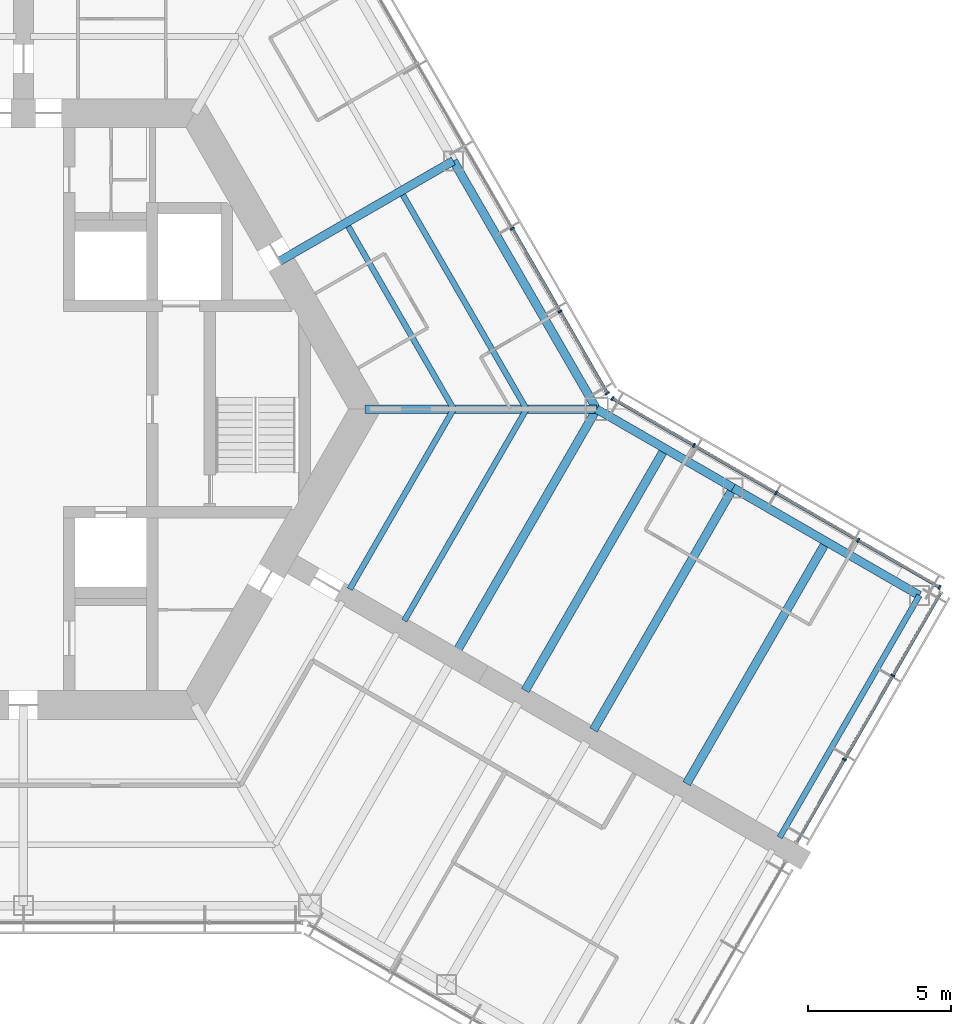
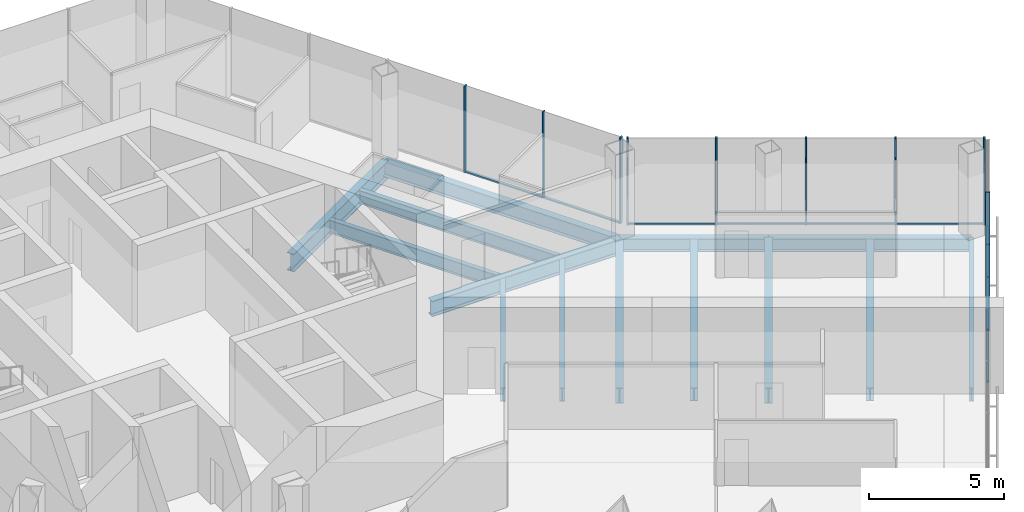
# One storey, part 6 of 18: 19 members, 14 beams, 3 elements without a shape of their own.
"""IFC4 building model written with IfcOpenShell, lengths in metres."""

from ifc_helpers import new_model, si_unit, direction, frame, origin, origin_2d, place, context, subcontext, project, spatial, rectangle, i_section, extrude, material, material_profile, profile_set, type_object, element, aggregate, save


model = new_model("IFC4")

# Units and contexts
model_context = context("Model", 3, precision=1e-05, world=origin(), true_north=direction((0.0, 1.0)))
body_context = subcontext(model_context, "Body", "Model", "MODEL_VIEW")
ifc_project = project(units=[si_unit("LENGTHUNIT", "METRE"), si_unit("AREAUNIT", "SQUARE_METRE"), si_unit("VOLUMEUNIT", "CUBIC_METRE"), si_unit("PLANEANGLEUNIT", "RADIAN"), si_unit("MASSUNIT", "GRAM", prefix="KILO")], contexts=[model_context])

# Site, building, storey
site_placement = place(None, origin())
site = spatial("IfcSite", under=ifc_project, at=site_placement, CompositionType="ELEMENT")
building_placement = place(site_placement, origin())
building = spatial("IfcBuilding", under=site, at=building_placement, Name="Kasaneha Research Tower", CompositionType="ELEMENT")
storey_placement = place(building_placement, frame((0.0, 0.0, 152.60009765625)))
storey = spatial("IfcBuildingStorey", under=building, at=storey_placement, Name="L38", CompositionType="ELEMENT", Elevation=152.60009765625)

# Beams
ifc_material_1 = material(Name="Steel SN490B", Category="steel")
ifc_material_profile_1 = material_profile(ifc_material_1, i_section(OverallWidth=0.199951171875, OverallDepth=0.60009765625, WebThickness=0.010986328125, FlangeThickness=0.01708984375, FilletRadius=0.012939453125, at=origin_2d()), Name="H-600x200x11x17")
ifc_profile_set_1 = profile_set([ifc_material_profile_1], Name="Steel SN490B")
beam_type_1 = type_object("IfcBeamType", Name="B1-3 secondary beam H-600x200x11x17", PredefinedType="JOIST", material=ifc_profile_set_1)
beam_1_placement = place(storey_placement, frame((15.010986328125, 0.0, -0.4501953125), z_axis=(-0.499994443168, 0.866028611999, 0.0), x_axis=(-0.866028611999, -0.499994443168, 0.0)))
element("IfcBeam", 1, at=beam_1_placement, inside=storey, type_object=beam_type_1, Name="Secondary beam RS030L1 L38", PredefinedType="JOIST", context=body_context, shape_type="SweptSolid", body=[
    extrude(i_section(OverallWidth=0.199951171875, OverallDepth=0.60009765625, WebThickness=0.010986328125, FlangeThickness=0.01708984375, FilletRadius=0.012939453125, at=origin_2d()), origin(), (0.0, 0.0, 1.0), 7.35546875),
])
beam_2_placement = place(storey_placement, frame((17.551513671875, 0.0, -0.4501953125), z_axis=(-0.5000050195, 0.866022505755, 0.0), x_axis=(-0.866022505755, -0.5000050195, 0.0)))
element("IfcBeam", 2, at=beam_2_placement, inside=storey, type_object=beam_type_1, Name="Secondary beam RS030L2 L38", PredefinedType="JOIST", context=body_context, shape_type="SweptSolid", body=[
    extrude(i_section(OverallWidth=0.199951171875, OverallDepth=0.60009765625, WebThickness=0.010986328125, FlangeThickness=0.01708984375, FilletRadius=0.012939453125, at=origin_2d()), origin(), (0.0, 0.0, 1.0), 8.6259765625),
])
beam_3_placement = place(storey_placement, frame((15.010986328125, 0.0, -0.4501953125), z_axis=(-0.499993340521, -0.866029248602, 0.0), x_axis=(0.866029248602, -0.499993340521, 0.0)))
element("IfcBeam", 3, at=beam_3_placement, inside=storey, type_object=beam_type_1, Name="Secondary beam RS330R1 L38", PredefinedType="JOIST", context=body_context, shape_type="SweptSolid", body=[
    extrude(i_section(OverallWidth=0.199951171875, OverallDepth=0.60009765625, WebThickness=0.010986328125, FlangeThickness=0.01708984375, FilletRadius=0.012939453125, at=origin_2d()), origin(), (0.0, 0.0, 1.0), 7.25537109375),
])
beam_4_placement = place(storey_placement, frame((17.551513671875, 0.0, -0.4501953125), z_axis=(-0.500004205306, -0.866022975836, 0.0), x_axis=(0.866022975836, -0.500004205306, 0.0)))
element("IfcBeam", 4, at=beam_4_placement, inside=storey, type_object=beam_type_1, Name="Secondary beam RS330R2 L38", PredefinedType="JOIST", context=body_context, shape_type="SweptSolid", body=[
    extrude(i_section(OverallWidth=0.199951171875, OverallDepth=0.60009765625, WebThickness=0.010986328125, FlangeThickness=0.01708984375, FilletRadius=0.012939453125, at=origin_2d()), origin(), (0.0, 0.0, 1.0), 8.52587890625),
])
ifc_material_2 = material(Name="Steel SN490B", Category="steel")
ifc_material_profile_2 = material_profile(ifc_material_2, i_section(OverallWidth=0.300048828125, OverallDepth=0.58203125, WebThickness=0.011962890625, FlangeThickness=0.01708984375, FilletRadius=0.012939453125, at=origin_2d()), Name="H-582x300x12x17")
ifc_profile_set_2 = profile_set([ifc_material_profile_2], Name="Steel SN490B")
beam_type_2 = type_object("IfcBeamType", Name="B2-3 secondary beam H-582x300x12x17", PredefinedType="JOIST", material=ifc_profile_set_2)
for number, where, z_axis, x_axis, name in (
    (5, (22.381591796875, -1.375, -0.441162109375), (-0.499995560238, -0.866027967067, 0.0), (0.866027967067, -0.499995560238, 0.0), "Secondary beam WBCN1 L38"),
    (6, (28.0107421875, -4.625, -0.441162109375), (-0.499995560238, -0.866027967067, 0.0), (0.866027967067, -0.499995560238, 0.0), "Secondary beam WBCN2 L38"),
):
    element("IfcBeam", number, at=place(storey_placement, frame(where, z_axis=z_axis, x_axis=x_axis)), inside=storey, type_object=beam_type_2, Name=name, PredefinedType="JOIST", context=body_context, shape_type="SweptSolid", body=[
        extrude(i_section(OverallWidth=0.300048828125, OverallDepth=0.58203125, WebThickness=0.011962890625, FlangeThickness=0.01708984375, FilletRadius=0.012939453125, at=origin_2d()), origin(), (0.0, 0.0, 1.0), 9.75),
    ])

# Curtain wall, members
ifc_material_3 = material(Name="Glass and aluminium", Category="aluminium")
curtain_wall_type = type_object("IfcCurtainWallType", Name="Mid-rise office curtain wall", PredefinedType="USERDEFINED", material=ifc_material_3)
curtain_wall_1_placement = place(storey_placement, origin())
curtain_wall_1 = element("IfcCurtainWall", 7, at=curtain_wall_1_placement, inside=storey, type_object=curtain_wall_type, Name="CW-O2 L38 run 04a", ObjectType="UNITISED CURTAIN WALL", PredefinedType="USERDEFINED")
ifc_material_4 = material(Name="Aluminium 6063-T6", Category="aluminium")
ifc_material_profile_3 = material_profile(ifc_material_4, rectangle(XDim=0.06005859375, YDim=0.14990234375, at=origin_2d()), Name="CW-O2 mullion 60x150")
ifc_profile_set_3 = profile_set([ifc_material_profile_3], Name="Aluminium 6063-T6")
member_type_1 = type_object("IfcMemberType", Name="CW-O2 mullion", PredefinedType="MULLION", material=ifc_profile_set_3)
member_1_placement = place(storey_placement, frame((28.64453125, -12.22705078125, 0.0), z_axis=(0.0, 0.0, 1.0), x_axis=(0.500000011442, 0.866025397178, 0.0)))
member_1 = element("IfcMember", 8, at=member_1_placement, type_object=member_type_1, Name="CW-O2 mullion 2", PredefinedType="MULLION", context=body_context, shape_type="SweptSolid", body=[
    extrude(rectangle(XDim=0.06005859375, YDim=0.14990234375, at=origin_2d()), origin(), (0.0, 0.0, 1.0), 3.89990234375),
])
member_2_placement = place(storey_placement, frame((30.336181640625, -9.297119140625, 0.0), z_axis=(0.0, 0.0, 1.0), x_axis=(0.500000011442, 0.866025397178, 0.0)))
member_2 = element("IfcMember", 9, at=member_2_placement, type_object=member_type_1, Name="CW-O2 mullion 3", PredefinedType="MULLION", context=body_context, shape_type="SweptSolid", body=[
    extrude(rectangle(XDim=0.06005859375, YDim=0.14990234375, at=origin_2d()), origin(), (0.0, 0.0, 1.0), 3.89990234375),
])

curtain_wall_2_placement = place(storey_placement, origin())
curtain_wall_2 = element("IfcCurtainWall", 10, at=curtain_wall_2_placement, inside=storey, type_object=curtain_wall_type, Name="CW-O2 L38 run 05a", ObjectType="UNITISED CURTAIN WALL", PredefinedType="USERDEFINED")
member_3_placement = place(storey_placement, frame((31.96533203125, -6.21533203125, 0.0), z_axis=(0.0, 0.0, 1.0), x_axis=(-0.866025411464, 0.499999986699, 0.0)))
member_3 = element("IfcMember", 11, at=member_3_placement, type_object=member_type_1, Name="CW-O2 mullion 1", PredefinedType="MULLION", context=body_context, shape_type="SweptSolid", body=[
    extrude(rectangle(XDim=0.06005859375, YDim=0.14990234375, at=origin_2d()), origin(), (0.0, 0.0, 1.0), 3.89990234375),
])
member_4_placement = place(storey_placement, frame((29.125, -4.575439453125, 0.0), z_axis=(0.0, 0.0, 1.0), x_axis=(-0.866025411464, 0.499999986699, 0.0)))
member_4 = element("IfcMember", 12, at=member_4_placement, type_object=member_type_1, Name="CW-O2 mullion 2", PredefinedType="MULLION", context=body_context, shape_type="SweptSolid", body=[
    extrude(rectangle(XDim=0.06005859375, YDim=0.14990234375, at=origin_2d()), origin(), (0.0, 0.0, 1.0), 3.89990234375),
])
member_5_placement = place(storey_placement, frame((26.258544921875, -2.920654296875, 0.0), z_axis=(0.0, 0.0, 1.0), x_axis=(-0.866025411464, 0.499999986699, 0.0)))
member_5 = element("IfcMember", 13, at=member_5_placement, type_object=member_type_1, Name="CW-O2 mullion 3", PredefinedType="MULLION", context=body_context, shape_type="SweptSolid", body=[
    extrude(rectangle(XDim=0.06005859375, YDim=0.14990234375, at=origin_2d()), origin(), (0.0, 0.0, 1.0), 3.89990234375),
])
member_6_placement = place(storey_placement, frame((23.39208984375, -1.265625, 0.0), z_axis=(0.0, 0.0, 1.0), x_axis=(-0.866025411464, 0.499999986699, 0.0)))
member_6 = element("IfcMember", 14, at=member_6_placement, type_object=member_type_1, Name="CW-O2 mullion 4", PredefinedType="MULLION", context=body_context, shape_type="SweptSolid", body=[
    extrude(rectangle(XDim=0.06005859375, YDim=0.14990234375, at=origin_2d()), origin(), (0.0, 0.0, 1.0), 3.89990234375),
])
member_7_placement = place(storey_placement, frame((20.5517578125, 0.374267578125, 0.0), z_axis=(0.0, 0.0, 1.0), x_axis=(-0.866025411464, 0.499999986699, 0.0)))
member_7 = element("IfcMember", 15, at=member_7_placement, type_object=member_type_1, Name="CW-O2 mullion 5", PredefinedType="MULLION", context=body_context, shape_type="SweptSolid", body=[
    extrude(rectangle(XDim=0.06005859375, YDim=0.14990234375, at=origin_2d()), origin(), (0.0, 0.0, 1.0), 3.89990234375),
])

curtain_wall_3_placement = place(storey_placement, origin())
curtain_wall_3 = element("IfcCurtainWall", 16, at=curtain_wall_3_placement, inside=storey, type_object=curtain_wall_type, Name="CW-O2 L38 run 06a", ObjectType="UNITISED CURTAIN WALL", PredefinedType="USERDEFINED")
member_8_placement = place(storey_placement, frame((20.374267578125, 0.5517578125, 0.0), z_axis=(0.0, 0.0, 1.0), x_axis=(-0.499999979232, 0.866025415775, 0.0)))
member_8 = element("IfcMember", 17, at=member_8_placement, type_object=member_type_1, Name="CW-O2 mullion 1", PredefinedType="MULLION", context=body_context, shape_type="SweptSolid", body=[
    extrude(rectangle(XDim=0.06005859375, YDim=0.14990234375, at=origin_2d()), origin(), (0.0, 0.0, 1.0), 3.89990234375),
])
member_9_placement = place(storey_placement, frame((18.723876953125, 3.410400390625, 0.0), z_axis=(0.0, 0.0, 1.0), x_axis=(-0.499999979232, 0.866025415775, 0.0)))
member_9 = element("IfcMember", 18, at=member_9_placement, type_object=member_type_1, Name="CW-O2 mullion 2", PredefinedType="MULLION", context=body_context, shape_type="SweptSolid", body=[
    extrude(rectangle(XDim=0.06005859375, YDim=0.14990234375, at=origin_2d()), origin(), (0.0, 0.0, 1.0), 3.89990234375),
])
member_10_placement = place(storey_placement, frame((17.058349609375, 6.295166015625, 0.0), z_axis=(0.0, 0.0, 1.0), x_axis=(-0.499999979232, 0.866025415775, 0.0)))
member_10 = element("IfcMember", 19, at=member_10_placement, type_object=member_type_1, Name="CW-O2 mullion 3", PredefinedType="MULLION", context=body_context, shape_type="SweptSolid", body=[
    extrude(rectangle(XDim=0.06005859375, YDim=0.14990234375, at=origin_2d()), origin(), (0.0, 0.0, 1.0), 3.89990234375),
])

# Member
ifc_material_5 = material(Name="Aluminium 6063-T6", Category="aluminium")
ifc_material_profile_4 = material_profile(ifc_material_5, rectangle(XDim=0.110107421875, YDim=0.06005859375, at=origin_2d()), Name="CW-O2 transom 110x60")
ifc_profile_set_4 = profile_set([ifc_material_profile_4], Name="Aluminium 6063-T6")
member_type_2 = type_object("IfcMemberType", Name="CW-O2 transom", PredefinedType="USERDEFINED", material=ifc_profile_set_4)
member_11_placement = place(storey_placement, frame((26.98291015625, -15.105224609375, 0.02978515625), z_axis=(0.500021914551, 0.866012751043, 0.0), x_axis=(-0.866012751043, 0.500021914551, 0.0)))
member_11 = element("IfcMember", 20, at=member_11_placement, type_object=member_type_2, Name="CW-O2 transom 1", ObjectType="TRANSOM", PredefinedType="USERDEFINED", context=body_context, shape_type="SweptSolid", body=[
    extrude(rectangle(XDim=0.110107421875, YDim=0.06005859375, at=origin_2d()), origin(), (0.0, 0.0, 1.0), 3.293212890625),
])

member_12_placement = place(storey_placement, frame((28.65966796875, -12.201171875, 0.02978515625), z_axis=(0.499978935311, 0.866037565146, 0.0), x_axis=(-0.866037565146, 0.499978935311, 0.0)))
member_12 = element("IfcMember", 21, at=member_12_placement, type_object=member_type_2, Name="CW-O2 transom 2", ObjectType="TRANSOM", PredefinedType="USERDEFINED", context=body_context, shape_type="SweptSolid", body=[
    extrude(rectangle(XDim=0.110107421875, YDim=0.06005859375, at=origin_2d()), origin(), (0.0, 0.0, 1.0), 3.323486328125),
])

member_13_placement = place(storey_placement, frame((30.351318359375, -9.27099609375, 0.02978515625), z_axis=(0.500021914551, 0.866012751043, 0.0), x_axis=(-0.866012751043, 0.500021914551, 0.0)))
member_13 = element("IfcMember", 22, at=member_13_placement, type_object=member_type_2, Name="CW-O2 transom 3", ObjectType="TRANSOM", PredefinedType="USERDEFINED", context=body_context, shape_type="SweptSolid", body=[
    extrude(rectangle(XDim=0.110107421875, YDim=0.06005859375, at=origin_2d()), origin(), (0.0, 0.0, 1.0), 3.293212890625),
])

aggregate(curtain_wall_1, [member_1, member_2, member_11, member_12, member_13])

member_14_placement = place(storey_placement, frame((31.939453125, -6.200439453125, 0.02978515625), z_axis=(-0.866041647767, 0.499971863542, 0.0), x_axis=(-0.499971863542, -0.866041647767, 0.0)))
member_14 = element("IfcMember", 23, at=member_14_placement, type_object=member_type_2, Name="CW-O2 transom 1", ObjectType="TRANSOM", PredefinedType="USERDEFINED", context=body_context, shape_type="SweptSolid", body=[
    extrude(rectangle(XDim=0.110107421875, YDim=0.06005859375, at=origin_2d()), origin(), (0.0, 0.0, 1.0), 3.219970703125),
])

member_15_placement = place(storey_placement, frame((29.098876953125, -4.560546875, 0.02978515625), z_axis=(-0.86599666273, 0.500049777664, 0.0), x_axis=(-0.500049777664, -0.86599666273, 0.0)))
member_15 = element("IfcMember", 24, at=member_15_placement, type_object=member_type_2, Name="CW-O2 transom 2", ObjectType="TRANSOM", PredefinedType="USERDEFINED", context=body_context, shape_type="SweptSolid", body=[
    extrude(rectangle(XDim=0.110107421875, YDim=0.06005859375, at=origin_2d()), origin(), (0.0, 0.0, 1.0), 3.249755859375),
])

member_16_placement = place(storey_placement, frame((26.232666015625, -2.905517578125, 0.02978515625), z_axis=(-0.86604797581, 0.499960902066, 0.0), x_axis=(-0.499960902066, -0.86604797581, 0.0)))
member_16 = element("IfcMember", 25, at=member_16_placement, type_object=member_type_2, Name="CW-O2 transom 3", ObjectType="TRANSOM", PredefinedType="USERDEFINED", context=body_context, shape_type="SweptSolid", body=[
    extrude(rectangle(XDim=0.110107421875, YDim=0.06005859375, at=origin_2d()), origin(), (0.0, 0.0, 1.0), 3.249755859375),
])

member_17_placement = place(storey_placement, frame((23.3662109375, -1.250732421875, 0.02978515625), z_axis=(-0.866022692473, 0.500004696101, 0.0), x_axis=(-0.500004696101, -0.866022692473, 0.0)))
member_17 = element("IfcMember", 26, at=member_17_placement, type_object=member_type_2, Name="CW-O2 transom 4", ObjectType="TRANSOM", PredefinedType="USERDEFINED", context=body_context, shape_type="SweptSolid", body=[
    extrude(rectangle(XDim=0.110107421875, YDim=0.06005859375, at=origin_2d()), origin(), (0.0, 0.0, 1.0), 3.2197265625),
])

aggregate(curtain_wall_2, [member_3, member_4, member_5, member_6, member_7, member_14, member_15, member_16, member_17])

member_18_placement = place(storey_placement, frame((20.359130859375, 0.577880859375, 0.02978515625), z_axis=(-0.499987643696, 0.866032537582, 0.0), x_axis=(-0.866032537582, -0.499987643696, 0.0)))
member_18 = element("IfcMember", 27, at=member_18_placement, type_object=member_type_2, Name="CW-O2 transom 1", ObjectType="TRANSOM", PredefinedType="USERDEFINED", context=body_context, shape_type="SweptSolid", body=[
    extrude(rectangle(XDim=0.110107421875, YDim=0.06005859375, at=origin_2d()), origin(), (0.0, 0.0, 1.0), 3.24072265625),
])

member_19_placement = place(storey_placement, frame((18.708740234375, 3.4365234375, 0.02978515625), z_axis=(-0.500000270186, 0.866025247793, 0.0), x_axis=(-0.866025247793, -0.500000270186, 0.0)))
member_19 = element("IfcMember", 28, at=member_19_placement, type_object=member_type_2, Name="CW-O2 transom 2", ObjectType="TRANSOM", PredefinedType="USERDEFINED", context=body_context, shape_type="SweptSolid", body=[
    extrude(rectangle(XDim=0.110107421875, YDim=0.06005859375, at=origin_2d()), origin(), (0.0, 0.0, 1.0), 3.27099609375),
])

aggregate(curtain_wall_3, [member_8, member_9, member_10, member_18, member_19])

# Beams
ifc_material_6 = material(Name="Steel SN490B", Category="steel")
ifc_material_profile_5 = material_profile(ifc_material_6, i_section(OverallWidth=0.300048828125, OverallDepth=0.699951171875, WebThickness=0.012939453125, FlangeThickness=0.02392578125, FilletRadius=0.01806640625, at=origin_2d()), Name="H-700x300x13x24")
ifc_profile_set_5 = profile_set([ifc_material_profile_5], Name="Steel SN490B")
beam_type_3 = type_object("IfcBeamType", Name="G1-3 radial girder H-700x300x13x24", PredefinedType="BEAM", material=ifc_profile_set_5)
beam_5_placement = place(storey_placement, frame((11.92236328125, 0.0, -0.5), z_axis=(1.0, 0.0, 0.0), x_axis=(0.0, 1.0, 0.0)))
element("IfcBeam", 29, at=beam_5_placement, inside=storey, type_object=beam_type_3, Name="Radial girder RV000 L38", PredefinedType="BEAM", context=body_context, shape_type="SweptSolid", body=[
    extrude(i_section(OverallWidth=0.300048828125, OverallDepth=0.699951171875, WebThickness=0.012939453125, FlangeThickness=0.02392578125, FilletRadius=0.01806640625, at=origin_2d()), origin(), (0.0, 0.0, 1.0), 8.07763671875),
])
ifc_material_7 = material(Name="Steel SN490B", Category="steel")
ifc_material_profile_6 = material_profile(ifc_material_7, i_section(OverallWidth=0.300048828125, OverallDepth=0.800048828125, WebThickness=0.013916015625, FlangeThickness=0.02587890625, FilletRadius=0.01806640625, at=origin_2d()), Name="H-800x300x14x26")
ifc_profile_set_6 = profile_set([ifc_material_profile_6], Name="Steel SN490B")
beam_type_4 = type_object("IfcBeamType", Name="G2-3 radial girder H-800x300x14x26", PredefinedType="BEAM", material=ifc_profile_set_6)
beam_6_placement = place(storey_placement, frame((8.941650390625, 5.16259765625, -0.550048828125), z_axis=(0.866039713508, 0.499975214012, 0.0), x_axis=(-0.499975214012, 0.866039713508, 0.0)))
element("IfcBeam", 30, at=beam_6_placement, inside=storey, type_object=beam_type_4, Name="Radial girder RM030 L38", PredefinedType="BEAM", context=body_context, shape_type="SweptSolid", body=[
    extrude(i_section(OverallWidth=0.300048828125, OverallDepth=0.800048828125, WebThickness=0.013916015625, FlangeThickness=0.02587890625, FilletRadius=0.01806640625, at=origin_2d()), origin(), (0.0, 0.0, 1.0), 6.995361328125),
])
ifc_material_8 = material(Name="Steel SN490B", Category="steel")
ifc_material_profile_7 = material_profile(ifc_material_8, i_section(OverallWidth=0.300048828125, OverallDepth=0.69189453125, WebThickness=0.012939453125, FlangeThickness=0.02001953125, FilletRadius=0.01806640625, at=origin_2d()), Name="H-692x300x13x20")
ifc_profile_set_7 = profile_set([ifc_material_profile_7], Name="Steel SN490B")
beam_type_5 = type_object("IfcBeamType", Name="G3-3 plate edge girder H-692x300x13x20", PredefinedType="BEAM", material=ifc_profile_set_7)
beam_7_placement = place(storey_placement, frame((20.0, 0.0, -0.49609375), z_axis=(-0.499995560238, -0.866027967067, 0.0), x_axis=(0.866027967067, -0.499995560238, 0.0)))
element("IfcBeam", 31, at=beam_7_placement, inside=storey, type_object=beam_type_5, Name="Plate edge girder PECN L38", PredefinedType="BEAM", context=body_context, shape_type="SweptSolid", body=[
    extrude(i_section(OverallWidth=0.300048828125, OverallDepth=0.69189453125, WebThickness=0.012939453125, FlangeThickness=0.02001953125, FilletRadius=0.01806640625, at=origin_2d()), origin(), (0.0, 0.0, 1.0), 9.75),
])
ifc_material_9 = material(Name="Steel SN490B", Category="steel")
ifc_material_profile_8 = material_profile(ifc_material_9, i_section(OverallWidth=0.300048828125, OverallDepth=0.699951171875, WebThickness=0.012939453125, FlangeThickness=0.02392578125, FilletRadius=0.01806640625, at=origin_2d()), Name="H-700x300x13x24")
ifc_profile_set_8 = profile_set([ifc_material_profile_8], Name="Steel SN490B")
beam_type_6 = type_object("IfcBeamType", Name="G4-3 wing girder H-700x300x13x24", PredefinedType="BEAM", material=ifc_profile_set_8)
beam_8_placement = place(storey_placement, frame((24.76318359375, -2.75, -0.5), z_axis=(-0.499995560238, -0.866027967067, 0.0), x_axis=(0.866027967067, -0.499995560238, 0.0)))
element("IfcBeam", 32, at=beam_8_placement, inside=storey, type_object=beam_type_6, Name="Wing girder WGCN L38", PredefinedType="BEAM", context=body_context, shape_type="SweptSolid", body=[
    extrude(i_section(OverallWidth=0.300048828125, OverallDepth=0.699951171875, WebThickness=0.012939453125, FlangeThickness=0.02392578125, FilletRadius=0.01806640625, at=origin_2d()), origin(), (0.0, 0.0, 1.0), 9.75),
])
ifc_material_10 = material(Name="Steel SN490B", Category="steel")
ifc_material_profile_9 = material_profile(ifc_material_10, i_section(OverallWidth=0.300048828125, OverallDepth=0.69189453125, WebThickness=0.012939453125, FlangeThickness=0.02001953125, FilletRadius=0.01806640625, at=origin_2d()), Name="H-692x300x13x20")
ifc_profile_set_9 = profile_set([ifc_material_profile_9], Name="Steel SN490B")
beam_type_7 = type_object("IfcBeamType", Name="SB1-3 spandrel beam H-692x300x13x20", PredefinedType="SPANDREL", material=ifc_profile_set_9)
beam_9_placement = place(storey_placement, frame((20.0, 0.0, -0.49609375), z_axis=(-0.500004234368, 0.866022959057, 0.0), x_axis=(-0.866022959057, -0.500004234368, 0.0)))
element("IfcBeam", 33, at=beam_9_placement, inside=storey, type_object=beam_type_7, Name="Spandrel beam SR030L L38", PredefinedType="SPANDREL", context=body_context, shape_type="SweptSolid", body=[
    extrude(i_section(OverallWidth=0.300048828125, OverallDepth=0.69189453125, WebThickness=0.012939453125, FlangeThickness=0.02001953125, FilletRadius=0.01806640625, at=origin_2d()), origin(), (0.0, 0.0, 1.0), 10.0),
])
ifc_material_11 = material(Name="Steel SN490B", Category="steel")
ifc_material_profile_10 = material_profile(ifc_material_11, i_section(OverallWidth=0.300048828125, OverallDepth=0.58203125, WebThickness=0.011962890625, FlangeThickness=0.01708984375, FilletRadius=0.012939453125, at=origin_2d()), Name="H-582x300x12x17")
ifc_profile_set_10 = profile_set([ifc_material_profile_10], Name="Steel SN490B")
beam_type_8 = type_object("IfcBeamType", Name="SB2-3 spandrel beam H-582x300x12x17", PredefinedType="SPANDREL", material=ifc_profile_set_10)
beam_10_placement = place(storey_placement, frame((20.0, 0.0, -0.441162109375), z_axis=(0.866027397988, -0.499996545922, 0.0), x_axis=(0.499996545922, 0.866027397988, 0.0)))
element("IfcBeam", 34, at=beam_10_placement, inside=storey, type_object=beam_type_8, Name="Spandrel beam WSCN1 L38", PredefinedType="SPANDREL", context=body_context, shape_type="SweptSolid", body=[
    extrude(i_section(OverallWidth=0.300048828125, OverallDepth=0.58203125, WebThickness=0.011962890625, FlangeThickness=0.01708984375, FilletRadius=0.012939453125, at=origin_2d()), origin(), (0.0, 0.0, 1.0), 5.5),
])
beam_11_placement = place(storey_placement, frame((24.76318359375, -2.75, -0.441162109375), z_axis=(0.866022959057, -0.500004234368, 0.0), x_axis=(0.500004234368, 0.866022959057, 0.0)))
element("IfcBeam", 35, at=beam_11_placement, inside=storey, type_object=beam_type_8, Name="Spandrel beam WSCN2 L38", PredefinedType="SPANDREL", context=body_context, shape_type="SweptSolid", body=[
    extrude(i_section(OverallWidth=0.300048828125, OverallDepth=0.58203125, WebThickness=0.011962890625, FlangeThickness=0.01708984375, FilletRadius=0.012939453125, at=origin_2d()), origin(), (0.0, 0.0, 1.0), 7.5),
])
ifc_material_12 = material(Name="Steel SN490B", Category="steel")
ifc_material_profile_11 = material_profile(ifc_material_12, i_section(OverallWidth=0.199951171875, OverallDepth=0.60009765625, WebThickness=0.010986328125, FlangeThickness=0.01708984375, FilletRadius=0.012939453125, at=origin_2d()), Name="H-600x200x11x17")
ifc_profile_set_11 = profile_set([ifc_material_profile_11], Name="Steel SN490B")
beam_type_9 = type_object("IfcBeamType", Name="SB3-3 spandrel beam H-600x200x11x17", PredefinedType="SPANDREL", material=ifc_profile_set_11)
beam_12_placement = place(storey_placement, frame((31.25830078125, -6.5, -0.4501953125), z_axis=(-0.499995560238, -0.866027967067, 0.0), x_axis=(0.866027967067, -0.499995560238, 0.0)))
element("IfcBeam", 36, at=beam_12_placement, inside=storey, type_object=beam_type_9, Name="Spandrel beam WTCN L38", PredefinedType="SPANDREL", context=body_context, shape_type="SweptSolid", body=[
    extrude(i_section(OverallWidth=0.199951171875, OverallDepth=0.60009765625, WebThickness=0.010986328125, FlangeThickness=0.01708984375, FilletRadius=0.012939453125, at=origin_2d()), origin(), (0.0, 0.0, 1.0), 9.75),
])

save(model, "model.ifc")
